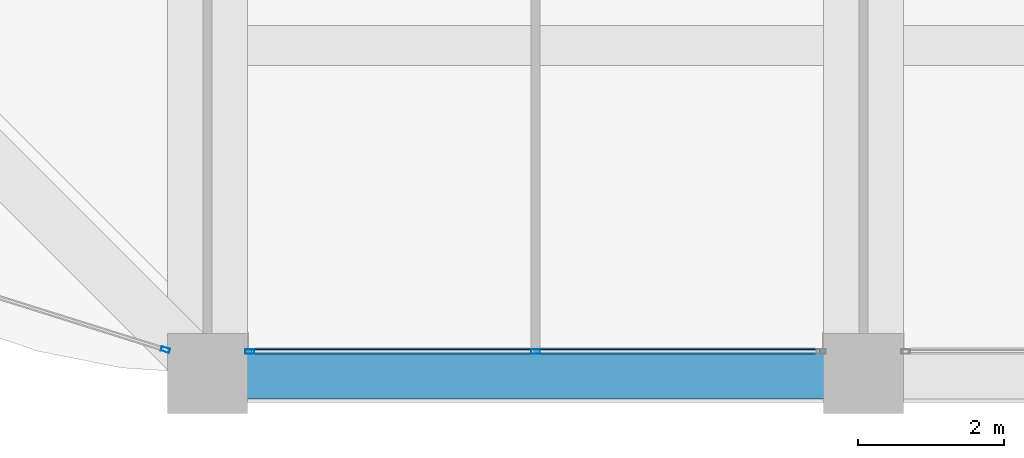
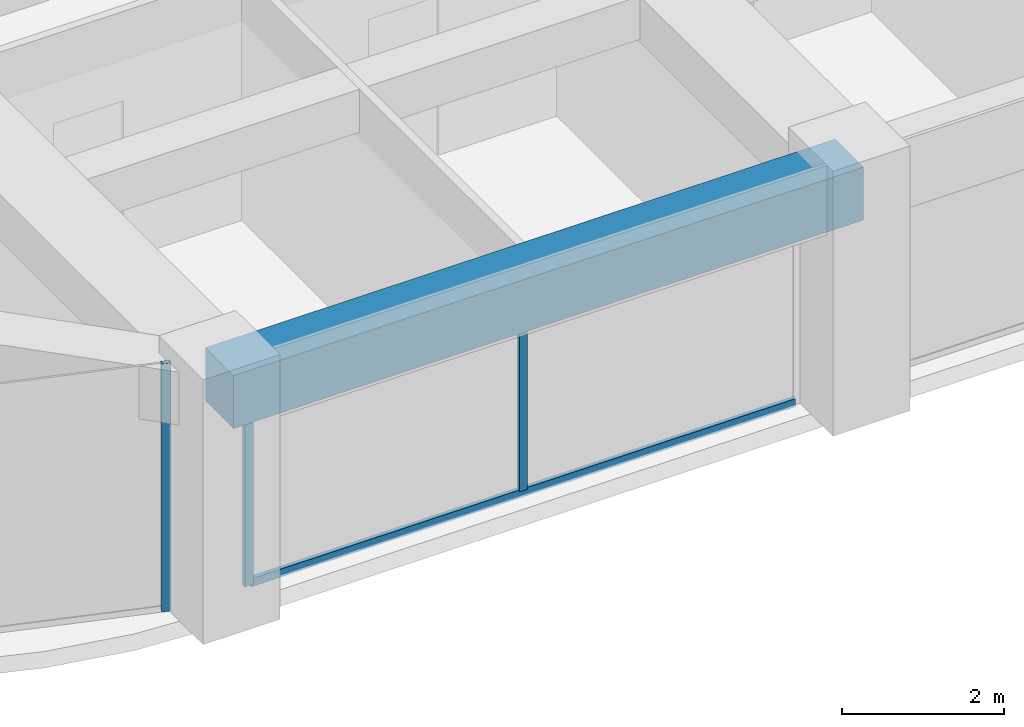
# One storey, part 4 of 44: 4 members, 1 beam, 2 elements without a shape of their own.
"""IFC4 building model written with IfcOpenShell, lengths in metres."""

import ifcopenshell
import ifcopenshell.guid

model = None  # the IFC model being written
_history = None  # IfcOwnerHistory: only IFC2X3 demands one
_inside = {}  # id of a spatial element -> (the spatial element, [elements in it])
_under = {}  # id of a project, library or spatial element -> (it, [spatial elements below it])
_declared = {}  # id of a project -> (the project, [libraries it declares])
_typed = {}  # id of a type object -> (the type object, [elements of that type])
_made_of = {}  # id of a material, layer set ... -> (it, [elements and type objects made of it])


def new_model(schema):
    """Start an empty IFC model of exactly this schema.

    Asked for "IFC4X3", IfcOpenShell would pick the latest addendum, in which some entities
    have other attributes; the version numbers below select the first issue.
    IFC2X3 requires an IfcOwnerHistory on every rooted entity: one is made here for all.
    """
    global model, _history
    if schema == "IFC4X3":
        model = ifcopenshell.file(schema_version=(4, 3, 0, 0))
    else:
        model = ifcopenshell.file(schema=schema)
    _inside.clear()
    _under.clear()
    _declared.clear()
    _typed.clear()
    _made_of.clear()
    _history = None
    if model.schema == "IFC2X3":
        org = make("IfcOrganization", Name="unknown")
        user = make(
            "IfcPersonAndOrganization",
            ThePerson=make("IfcPerson", FamilyName="unknown"),
            TheOrganization=org,
        )
        app = make(
            "IfcApplication",
            ApplicationDeveloper=org,
            Version="unknown",
            ApplicationFullName="unknown",
            ApplicationIdentifier="unknown",
        )
        _history = make(
            "IfcOwnerHistory",
            OwningUser=user,
            OwningApplication=app,
            ChangeAction="ADDED",
            CreationDate=0,
        )
    return model


def make(cls, **values):
    """One entity of the class cls with the attributes given. An attribute that is None is left unset."""
    return model.create_entity(
        cls, **{name: value for name, value in values.items() if value is not None}
    )


def rooted(cls, **values):
    """An entity with a GlobalId (a new one), such as an element, a storey or a relation."""
    return make(cls, GlobalId=ifcopenshell.guid.new(), OwnerHistory=_history, **values)


def si_unit(unit_type, name, prefix=None):
    """IfcSIUnit, for example si_unit("LENGTHUNIT", "METRE", prefix="MILLI")."""
    return make("IfcSIUnit", UnitType=unit_type, Prefix=prefix, Name=name)


def assignment(units):
    """IfcUnitAssignment: the units of a project."""
    return None if units is None else make("IfcUnitAssignment", Units=units)


def point(xyz):
    """IfcCartesianPoint."""
    return None if xyz is None else make("IfcCartesianPoint", Coordinates=xyz)


def direction(xyz):
    """IfcDirection."""
    return None if xyz is None else make("IfcDirection", DirectionRatios=xyz)


def frame(location, z_axis=None, x_axis=None):
    """IfcAxis2Placement3D, a coordinate frame: its origin and axes. An axis left out is left unset."""
    return make(
        "IfcAxis2Placement3D",
        Location=point(location),
        Axis=direction(z_axis),
        RefDirection=direction(x_axis),
    )


def frame_2d(location, x_axis=None):
    """IfcAxis2Placement2D, a coordinate frame in the plane: its origin and x axis."""
    return make(
        "IfcAxis2Placement2D", Location=point(location), RefDirection=direction(x_axis)
    )


def origin():
    """The frame at (0, 0, 0) with its axes left unset."""
    return frame((0.0, 0.0, 0.0))


def origin_2d():
    """The frame at (0, 0) in the plane with its x axis left unset."""
    return frame_2d((0.0, 0.0))


def place(relative_to, where):
    """IfcLocalPlacement: puts the frame where relative to a parent placement (None: the world)."""
    return make(
        "IfcLocalPlacement", PlacementRelTo=relative_to, RelativePlacement=where
    )


def context(
    kind, dimensions, precision=None, world=None, true_north=None, identifier=None
):
    """IfcGeometricRepresentationContext, for example the 3D "Model" context."""
    return make(
        "IfcGeometricRepresentationContext",
        ContextIdentifier=identifier,
        ContextType=kind,
        CoordinateSpaceDimension=dimensions,
        Precision=precision,
        WorldCoordinateSystem=world,
        TrueNorth=true_north,
    )


def subcontext(parent, identifier, kind, view, scale=None):
    """IfcGeometricRepresentationSubContext, for example "Body" below "Model"."""
    return make(
        "IfcGeometricRepresentationSubContext",
        ContextIdentifier=identifier,
        ContextType=kind,
        ParentContext=parent,
        TargetScale=scale,
        TargetView=view,
    )


def project(units=None, contexts=None):
    """IfcProject with its units and contexts."""
    return rooted(
        "IfcProject",
        Name="project",
        RepresentationContexts=contexts,
        UnitsInContext=assignment(units),
    )


def spatial(cls, under=None, at=None, **own):
    """A site, building, storey or space (cls), placed at a placement, below another one or the project."""
    s = rooted(cls, ObjectPlacement=at, **own)
    if under is not None:
        _under.setdefault(under.id(), (under, []))[1].append(s)
    return s


def profile(cls, at=None, kind="AREA", **sizes):
    """A parametric profile (cls). Its sizes go by their IFC names, for example OverallWidth=200.0."""
    return make(cls, ProfileType=kind, Position=at, **sizes)


def rectangle(**sizes):
    """IfcRectangleProfileDef."""
    return profile("IfcRectangleProfileDef", **sizes)


def hollow_rectangle(**sizes):
    """IfcRectangleHollowProfileDef."""
    return profile("IfcRectangleHollowProfileDef", **sizes)


def extrude(swept, where, along, depth):
    """IfcExtrudedAreaSolid: the profile swept, set in the frame where, extruded along a direction by depth."""
    return make(
        "IfcExtrudedAreaSolid",
        SweptArea=swept,
        Position=where,
        ExtrudedDirection=direction(along),
        Depth=depth,
    )


def shape(context_of_items, identifier, shape_type, items):
    """IfcShapeRepresentation: the items that make up one representation, for example the "Body"."""
    return make(
        "IfcShapeRepresentation",
        ContextOfItems=context_of_items,
        RepresentationIdentifier=identifier,
        RepresentationType=shape_type,
        Items=items,
    )


def material(Name=None, Category=None):
    """IfcMaterial."""
    return make("IfcMaterial", Name=Name, Category=Category)


def material_profile(
    of_material, cross_section, Name=None, Category=None, Priority=None
):
    """IfcMaterialProfile: a cross section and its material."""
    return make(
        "IfcMaterialProfile",
        Name=Name,
        Material=of_material,
        Profile=cross_section,
        Priority=Priority,
        Category=Category,
    )


def profile_set(profiles, Name=None, composite=None):
    """IfcMaterialProfileSet."""
    return make(
        "IfcMaterialProfileSet",
        Name=Name,
        MaterialProfiles=profiles,
        CompositeProfile=composite,
    )


def made_of(thing, what):
    """Note that an element or type object is made of a material, layer set ...; save() writes the relation."""
    if what is not None:
        _made_of.setdefault(what.id(), (what, []))[1].append(thing)
    return thing


def type_object(cls, material=None, **own):
    """A type object (cls), such as IfcWallType, which elements share."""
    return made_of(rooted(cls, **own), material)


def element(
    cls,
    number,
    at=None,
    inside=None,
    cuts=None,
    type_object=None,
    material=None,
    context=None,
    identifier="Body",
    shape_type=None,
    held_by="IfcProductDefinitionShape",
    body=None,
    shapes=None,
    **own,
):
    """One element of the class cls, such as IfcWall. Its Tag is "e" and its number.

    at: its placement. inside: the storey or other place that contains it. cuts: it is an
    opening in that element (IfcRelVoidsElement). A single representation is given by context,
    identifier, shape_type and body (its items); several are given by shapes. held_by: the class
    of the entity that holds the representations. save() writes the other relations.
    """
    e = rooted(cls, Tag="e%d" % number, ObjectPlacement=at, **own)
    if body is not None:
        shapes = [shape(context, identifier, shape_type, body)]
    if shapes is not None:
        e.Representation = make(held_by, Representations=shapes)
    if inside is not None:
        _inside.setdefault(inside.id(), (inside, []))[1].append(e)
    if cuts is not None:
        rooted(
            "IfcRelVoidsElement", RelatingBuildingElement=cuts, RelatedOpeningElement=e
        )
    if type_object is not None:
        _typed.setdefault(type_object.id(), (type_object, []))[1].append(e)
    return made_of(e, material)


def aggregate(whole, parts):
    """IfcRelAggregates: a whole, such as a stair, and the parts it consists of."""
    return rooted("IfcRelAggregates", RelatingObject=whole, RelatedObjects=parts)


def save(model, path):
    """Write the relations noted so far, then the file.

    IfcRelAggregates (storeys below a building ...), IfcRelContainedInSpatialStructure (elements
    in a storey), IfcRelDefinesByType, IfcRelAssociatesMaterial and IfcRelDeclares: one each for
    every whole, place, type object, material and project.
    """
    for whole, parts in _under.values():
        aggregate(whole, parts)
    for where, things in _inside.values():
        rooted(
            "IfcRelContainedInSpatialStructure",
            RelatedElements=things,
            RelatingStructure=where,
        )
    for kind, things in _typed.values():
        rooted("IfcRelDefinesByType", RelatedObjects=things, RelatingType=kind)
    for what, things in _made_of.values():
        rooted("IfcRelAssociatesMaterial", RelatedObjects=things, RelatingMaterial=what)
    for by, libraries in _declared.values():
        rooted("IfcRelDeclares", RelatingContext=by, RelatedDefinitions=libraries)
    model.write(path)


model = new_model("IFC4")

# Units and contexts
model_context = context("Model", 3, precision=1e-05, world=origin(), true_north=direction((0.0, 1.0)))
body_context = subcontext(model_context, "Body", "Model", "MODEL_VIEW")
ifc_project = project(units=[si_unit("LENGTHUNIT", "METRE"), si_unit("AREAUNIT", "SQUARE_METRE"), si_unit("VOLUMEUNIT", "CUBIC_METRE"), si_unit("PLANEANGLEUNIT", "RADIAN"), si_unit("MASSUNIT", "GRAM", prefix="KILO")], contexts=[model_context])

# Site, building, storey
site_placement = place(None, origin())
site = spatial("IfcSite", under=ifc_project, at=site_placement, CompositionType="ELEMENT")
building_placement = place(site_placement, origin())
building = spatial("IfcBuilding", under=site, at=building_placement, Name="Zorevar Civic Tower", CompositionType="ELEMENT")
storey_placement = place(building_placement, frame((0.0, 0.0, 283.39990234375)))
storey = spatial("IfcBuildingStorey", under=building, at=storey_placement, Name="L69", CompositionType="ELEMENT", Elevation=283.39990234375)

# Curtain wall, members
ifc_material_1 = material(Name="Dark grey solar-control glass in black aluminium frame", Category="aluminium")
curtain_wall_type = type_object("IfcCurtainWallType", Name="Curtain wall CW5 top zone", PredefinedType="NOTDEFINED", material=ifc_material_1)
curtain_wall_1_placement = place(storey_placement, origin())
curtain_wall_1 = element("IfcCurtainWall", 1, at=curtain_wall_1_placement, inside=storey, type_object=curtain_wall_type, Name="CW5 L69", PredefinedType="NOTDEFINED")
ifc_material_2 = material(Name="Aluminium, black anodised", Category="aluminium")
ifc_material_profile_1 = material_profile(ifc_material_2, hollow_rectangle(XDim=0.06005859375, YDim=0.1201171875, WallThickness=0.0029296875, at=origin_2d()), Name="AL 120x60x3")
ifc_profile_set_1 = profile_set([ifc_material_profile_1], Name="Aluminium, black anodised")
member_type_1 = type_object("IfcMemberType", Name="CW5 mullion AL 120x60x3", PredefinedType="MULLION", material=ifc_profile_set_1)
member_1_placement = place(storey_placement, frame((18.580078125, 0.300048828125, 0.0), z_axis=(0.0, 0.0, 1.0), x_axis=(0.0, 1.0, 0.0)))
member_1 = element("IfcMember", 2, at=member_1_placement, type_object=member_type_1, Name="CW5 mullion 1", PredefinedType="MULLION", context=body_context, shape_type="SweptSolid", body=[
    extrude(hollow_rectangle(XDim=0.06005859375, YDim=0.1201171875, WallThickness=0.0029296875, at=origin_2d()), origin(), (0.0, 0.0, 1.0), 2.9501953125),
])
member_2_placement = place(storey_placement, frame((22.5, 0.300048828125, 0.06005859375), z_axis=(0.0, 0.0, 1.0), x_axis=(0.0, 1.0, 0.0)))
member_2 = element("IfcMember", 3, at=member_2_placement, type_object=member_type_1, Name="CW5 mullion 2", PredefinedType="MULLION", context=body_context, shape_type="SweptSolid", body=[
    extrude(hollow_rectangle(XDim=0.06005859375, YDim=0.1201171875, WallThickness=0.0029296875, at=origin_2d()), origin(), (0.0, 0.0, 1.0), 2.89013671875),
])

# Curtain wall, member
curtain_wall_2_placement = place(storey_placement, origin())
curtain_wall_2 = element("IfcCurtainWall", 4, at=curtain_wall_2_placement, inside=storey, type_object=curtain_wall_type, Name="CW5 L69", PredefinedType="NOTDEFINED")
member_3_placement = place(storey_placement, frame((17.42138671875, 0.326416015625, 0.0), z_axis=(0.0, 0.0, 1.0), x_axis=(0.299317920238, 0.954153437674, 0.0)))
member_3 = element("IfcMember", 5, at=member_3_placement, type_object=member_type_1, Name="CW5 mullion 2", PredefinedType="MULLION", context=body_context, shape_type="SweptSolid", body=[
    extrude(hollow_rectangle(XDim=0.06005859375, YDim=0.1201171875, WallThickness=0.0029296875, at=origin_2d()), origin(), (0.0, 0.0, 1.0), 3.75),
])
aggregate(curtain_wall_2, [member_3])

# Member
ifc_material_3 = material(Name="Aluminium, black anodised", Category="aluminium")
ifc_material_profile_2 = material_profile(ifc_material_3, hollow_rectangle(XDim=0.06005859375, YDim=0.1201171875, WallThickness=0.0029296875, at=origin_2d()), Name="AL 120x60x3")
ifc_profile_set_2 = profile_set([ifc_material_profile_2], Name="Aluminium, black anodised")
member_type_2 = type_object("IfcMemberType", Name="CW5 transom AL 120x60x3", PredefinedType="USERDEFINED", material=ifc_profile_set_2)
member_4_placement = place(storey_placement, frame((18.610107421875, 0.300048828125, 0.030029296875), z_axis=(1.0, 0.0, 0.0), x_axis=(0.0, 1.0, 0.0)))
member_4 = element("IfcMember", 6, at=member_4_placement, type_object=member_type_2, Name="CW5 sill transom", ObjectType="TRANSOM", PredefinedType="USERDEFINED", context=body_context, shape_type="SweptSolid", body=[
    extrude(hollow_rectangle(XDim=0.06005859375, YDim=0.1201171875, WallThickness=0.0029296875, at=origin_2d()), origin(), (0.0, 0.0, 1.0), 7.77978515625),
])

aggregate(curtain_wall_1, [member_1, member_2, member_4])

# Beam
ifc_material_4 = material(Name="Concrete C50/60", Category="concrete")
ifc_material_profile_3 = material_profile(ifc_material_4, rectangle(XDim=0.699951171875, YDim=0.800048828125, at=origin_2d()), Name="RC 700x800")
ifc_profile_set_3 = profile_set([ifc_material_profile_3], Name="Concrete C50/60")
beam_type = type_object("IfcBeamType", Name="Edge beam RC 700x800", PredefinedType="SPANDREL", material=ifc_profile_set_3)
beam_placement = place(storey_placement, frame((18.0, 0.0, 3.35009765625), z_axis=(1.0, 0.0, 0.0), x_axis=(0.0, 1.0, 0.0)))
element("IfcBeam", 7, at=beam_placement, inside=storey, type_object=beam_type, Name="Edge beam L70", PredefinedType="SPANDREL", context=body_context, shape_type="SweptSolid", body=[
    extrude(rectangle(XDim=0.699951171875, YDim=0.800048828125, at=origin_2d()), origin(), (0.0, 0.0, 1.0), 9.0),
])

save(model, "model.ifc")
